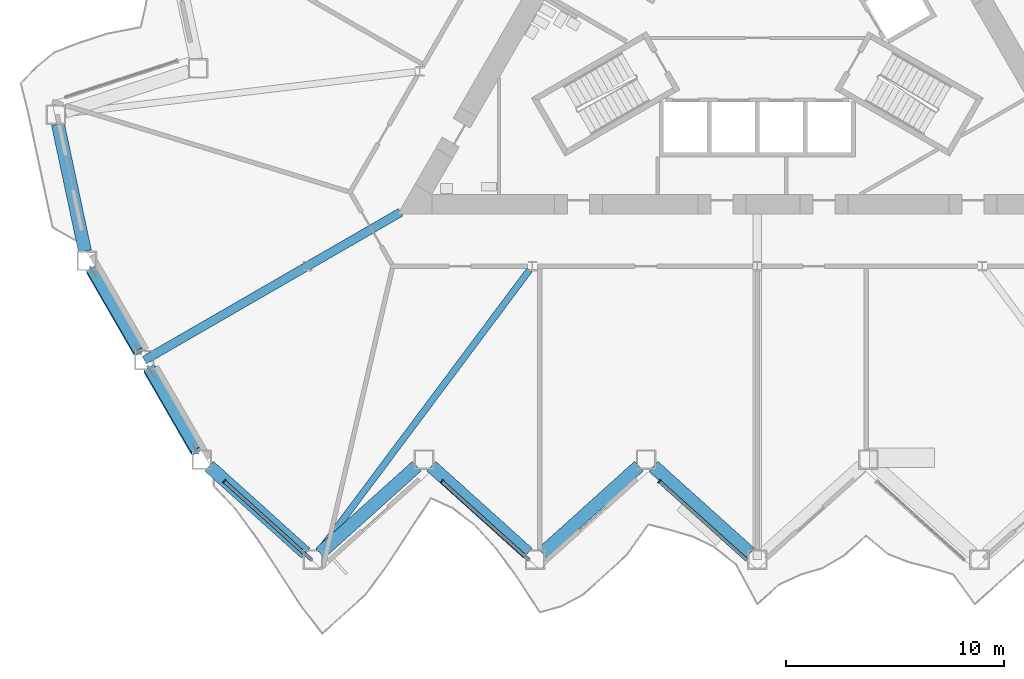
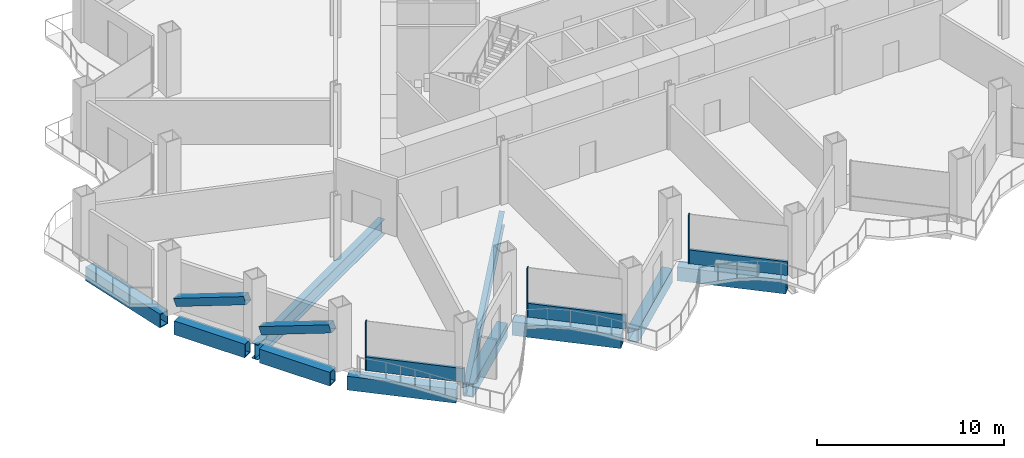
# One storey, part 3 of 21: 9 beams, 9 members, 3 elements without a shape of their own.
"""IFC4 building model written with IfcOpenShell, lengths in metres."""

from ifc_helpers import new_model, si_unit, direction, frame, origin, origin_2d, place, context, subcontext, project, spatial, rectangle, hollow_rectangle, i_section, extrude, material, layer, layer_set, material_profile, profile_set, type_object, element, aggregate, save


model = new_model("IFC4")

# Units and contexts
model_context = context("Model", 3, precision=1e-05, world=origin(), true_north=direction((0.0, 1.0)))
body_context = subcontext(model_context, "Body", "Model", "MODEL_VIEW")
ifc_project = project(units=[si_unit("LENGTHUNIT", "METRE"), si_unit("AREAUNIT", "SQUARE_METRE"), si_unit("VOLUMEUNIT", "CUBIC_METRE"), si_unit("PLANEANGLEUNIT", "RADIAN"), si_unit("MASSUNIT", "GRAM", prefix="KILO")], contexts=[model_context])

# Site, building, storey
site_placement = place(None, origin())
site = spatial("IfcSite", under=ifc_project, at=site_placement, CompositionType="ELEMENT")
building_placement = place(site_placement, origin())
building = spatial("IfcBuilding", under=site, at=building_placement, Name="Cormorant Prow Tower", CompositionType="ELEMENT")
storey_placement = place(building_placement, frame((0.0, 0.0, 99.60009765625)))
storey = spatial("IfcBuildingStorey", under=building, at=storey_placement, Name="L20", CompositionType="ELEMENT", Elevation=99.60009765625)

# Beams
ifc_material_1 = material(Name="Structural steel ASTM A572 Gr 50", Category="steel")
ifc_material_profile_1 = material_profile(ifc_material_1, hollow_rectangle(XDim=0.60009765625, YDim=0.89990234375, WallThickness=0.06005859375, at=origin_2d()), Name="Box 900x600x60")
ifc_profile_set_1 = profile_set([ifc_material_profile_1], Name="Structural steel ASTM A572 Gr 50")
beam_type_1 = type_object("IfcBeamType", Name="Belt truss top chord 900x600x60", PredefinedType="BEAM", material=ifc_profile_set_1)
for number, where, z_axis, x_axis, name in (
    (1, (-25.165283203125, -21.108154296875, -0.85009765625), (0.743131253571, -0.66914567918, 0.0), (0.66914567918, 0.743131253571, 0.0), "Belt truss top chord TC2 S00-S01 L20"),
    (2, (-20.0654296875, -25.09814453125, -0.85009765625), (0.743131253571, 0.66914567918, 0.0), (-0.66914567918, 0.743131253571, 0.0), "Belt truss top chord TC2 S01-S02 L20"),
    (3, (-14.96533203125, -21.108154296875, -0.85009765625), (0.743131253571, -0.66914567918, 0.0), (0.66914567918, 0.743131253571, 0.0), "Belt truss top chord TC2 S02-S03 L20"),
    (4, (-9.865478515625, -25.09814453125, -0.85009765625), (0.743131253571, 0.66914567918, 0.0), (-0.66914567918, 0.743131253571, 0.0), "Belt truss top chord TC2 S03-S04 L20"),
    (5, (-4.765625, -21.108154296875, -0.85009765625), (0.743131253571, -0.66914567918, 0.0), (0.66914567918, 0.743131253571, 0.0), "Belt truss top chord TC2 S04-S05 L20"),
    (6, (-32.1025390625, -5.4072265625, -0.85009765625), (0.207912620873, -0.978147403044, 0.0), (0.978147403044, 0.207912620873, 0.0), "Belt truss top chord TC2 WNW09-WSW00 L20"),
):
    element("IfcBeam", number, at=place(storey_placement, frame(where, z_axis=z_axis, x_axis=x_axis)), inside=storey, type_object=beam_type_1, Name=name, PredefinedType="BEAM", context=body_context, shape_type="SweptSolid", body=[
        extrude(hollow_rectangle(XDim=0.60009765625, YDim=0.89990234375, WallThickness=0.06005859375, at=origin_2d()), origin(), (0.0, 0.0, 1.0), 5.962890625),
    ])
for number, where, z_axis, x_axis, name in (
    (7, (-30.54443359375, -12.069580078125, -0.85009765625), (0.500002967982, -0.866023690213, 0.0), (0.866023690213, 0.500002967982, 0.0), "Belt truss top chord TC2 WSW00-WSW01 L20"),
    (8, (-27.909423828125, -16.63330078125, -0.85009765625), (0.500002967982, -0.866023690213, 0.0), (0.866023690213, 0.500002967982, 0.0), "Belt truss top chord TC2 WSW01-S00 L20"),
):
    element("IfcBeam", number, at=place(storey_placement, frame(where, z_axis=z_axis, x_axis=x_axis)), inside=storey, type_object=beam_type_1, Name=name, PredefinedType="BEAM", context=body_context, shape_type="SweptSolid", body=[
        extrude(hollow_rectangle(XDim=0.60009765625, YDim=0.89990234375, WallThickness=0.06005859375, at=origin_2d()), origin(), (0.0, 0.0, 1.0), 4.36962890625),
    ])

# Members
ifc_material_2 = material(Name="Structural steel ASTM A500 Gr C", Category="steel")
ifc_material_profile_2 = material_profile(ifc_material_2, hollow_rectangle(XDim=0.508056640625, YDim=0.508056640625, WallThickness=0.014892578125, at=origin_2d()), Name="HSS20x20x5/8")
ifc_profile_set_2 = profile_set([ifc_material_profile_2], Name="Structural steel ASTM A500 Gr C")
member_type_1 = type_object("IfcMemberType", Name="Chamfer brace HSS20x20x5/8", PredefinedType="BRACE", material=ifc_profile_set_2)
for number, where, z_axis, x_axis, name in (
    (9, (-30.535400390625, -12.0849609375, 0.7763671875), (0.467775966243, -0.810228448064, 0.353150828052), (0.866029868417, 0.499992266949, 0.0), "Chamfer brace BR1 at WSW00 L20"),
    (10, (-27.900634765625, -16.648681640625, 0.7763671875), (0.467775966243, -0.810228448064, 0.353150828052), (0.866029868417, 0.499992266949, 0.0), "Chamfer brace BR1 at WSW01 L20"),
):
    element("IfcMember", number, at=place(storey_placement, frame(where, z_axis=z_axis, x_axis=x_axis)), inside=storey, type_object=member_type_1, Name=name, PredefinedType="BRACE", context=body_context, shape_type="SweptSolid", body=[
        extrude(hollow_rectangle(XDim=0.508056640625, YDim=0.508056640625, WallThickness=0.014892578125, at=origin_2d()), origin(), (0.0, 0.0, 1.0), 4.632568359375),
    ])

# Curtain wall, member
ifc_material_3 = material(Name="Aluminium 6063-T6", Category="aluminium")
ifc_layer = layer(ifc_material_3, 0.199951171875)
ifc_layer_set = layer_set([ifc_layer], Name="Aluminium 6063-T6")
curtain_wall_type = type_object("IfcCurtainWallType", Name="Office unitised curtain wall 200", PredefinedType="NOTDEFINED", material=ifc_layer_set)
curtain_wall_1_placement = place(storey_placement, origin())
curtain_wall_1 = element("IfcCurtainWall", 11, at=curtain_wall_1_placement, inside=storey, type_object=curtain_wall_type, Name="Office curtain wall S00", PredefinedType="NOTDEFINED")
ifc_material_4 = material(Name="Aluminium 6063-T6", Category="aluminium")
ifc_material_profile_3 = material_profile(ifc_material_4, rectangle(XDim=0.199951171875, YDim=0.06005859375, at=origin_2d()), Name="Office mullion 60x200")
ifc_profile_set_3 = profile_set([ifc_material_profile_3], Name="Aluminium 6063-T6")
member_type_2 = type_object("IfcMemberType", Name="Office mullion 60x200", PredefinedType="MULLION", material=ifc_profile_set_3)
member_1_placement = place(storey_placement, frame((-24.468505859375, -21.800537109375, 0.0), z_axis=(0.0, 0.0, 1.0), x_axis=(0.669130650497, 0.743144785735, 0.0)))
member_1 = element("IfcMember", 12, at=member_1_placement, type_object=member_type_2, Name="Office mullion S00", PredefinedType="MULLION", context=body_context, shape_type="SweptSolid", body=[
    extrude(rectangle(XDim=0.199951171875, YDim=0.06005859375, at=origin_2d()), origin(), (0.0, 0.0, 1.0), 3.188720703125),
])

curtain_wall_2_placement = place(storey_placement, origin())
curtain_wall_2 = element("IfcCurtainWall", 13, at=curtain_wall_2_placement, inside=storey, type_object=curtain_wall_type, Name="Office curtain wall S02", PredefinedType="NOTDEFINED")
member_2_placement = place(storey_placement, frame((-14.483154296875, -21.800537109375, 0.0), z_axis=(0.0, 0.0, 1.0), x_axis=(0.669130650497, 0.743144785735, 0.0)))
member_2 = element("IfcMember", 14, at=member_2_placement, type_object=member_type_2, Name="Office mullion S02", PredefinedType="MULLION", context=body_context, shape_type="SweptSolid", body=[
    extrude(rectangle(XDim=0.199951171875, YDim=0.06005859375, at=origin_2d()), origin(), (0.0, 0.0, 1.0), 3.188720703125),
])

curtain_wall_3_placement = place(storey_placement, origin())
curtain_wall_3 = element("IfcCurtainWall", 15, at=curtain_wall_3_placement, inside=storey, type_object=curtain_wall_type, Name="Office curtain wall S04", PredefinedType="NOTDEFINED")
member_3_placement = place(storey_placement, frame((-4.497802734375, -21.800537109375, 0.0), z_axis=(0.0, 0.0, 1.0), x_axis=(0.669130650497, 0.743144785735, 0.0)))
member_3 = element("IfcMember", 16, at=member_3_placement, type_object=member_type_2, Name="Office mullion S04", PredefinedType="MULLION", context=body_context, shape_type="SweptSolid", body=[
    extrude(rectangle(XDim=0.199951171875, YDim=0.06005859375, at=origin_2d()), origin(), (0.0, 0.0, 1.0), 3.188720703125),
])

# Member
ifc_material_5 = material(Name="Terracotta", Category="masonry")
ifc_material_profile_4 = material_profile(ifc_material_5, rectangle(XDim=0.159912109375, YDim=0.89990234375, at=origin_2d()), Name="Office terracotta spandrel rail 160x900")
ifc_profile_set_4 = profile_set([ifc_material_profile_4], Name="Terracotta")
member_type_3 = type_object("IfcMemberType", Name="Office terracotta spandrel rail 160x900", PredefinedType="USERDEFINED", material=ifc_profile_set_4)
member_4_placement = place(storey_placement, frame((-24.446044921875, -21.820556640625, 0.449951171875), z_axis=(0.743125087883, -0.669152526528, 0.0), x_axis=(0.669152526528, 0.743125087883, 0.0)))
member_4 = element("IfcMember", 17, at=member_4_placement, type_object=member_type_3, Name="Office spandrel rail S00", ObjectType="TRANSOM", PredefinedType="USERDEFINED", context=body_context, shape_type="SweptSolid", body=[
    extrude(rectangle(XDim=0.159912109375, YDim=0.89990234375, at=origin_2d()), origin(), (0.0, 0.0, 1.0), 5.38623046875),
])

aggregate(curtain_wall_1, [member_1, member_4])

member_5_placement = place(storey_placement, frame((-14.460693359375, -21.820556640625, 0.449951171875), z_axis=(0.743125087883, -0.669152526528, 0.0), x_axis=(0.669152526528, 0.743125087883, 0.0)))
member_5 = element("IfcMember", 18, at=member_5_placement, type_object=member_type_3, Name="Office spandrel rail S02", ObjectType="TRANSOM", PredefinedType="USERDEFINED", context=body_context, shape_type="SweptSolid", body=[
    extrude(rectangle(XDim=0.159912109375, YDim=0.89990234375, at=origin_2d()), origin(), (0.0, 0.0, 1.0), 5.38623046875),
])

aggregate(curtain_wall_2, [member_2, member_5])

member_6_placement = place(storey_placement, frame((-4.475341796875, -21.820556640625, 0.449951171875), z_axis=(0.743125087883, -0.669152526528, 0.0), x_axis=(0.669152526528, 0.743125087883, 0.0)))
member_6 = element("IfcMember", 19, at=member_6_placement, type_object=member_type_3, Name="Office spandrel rail S04", ObjectType="TRANSOM", PredefinedType="USERDEFINED", context=body_context, shape_type="SweptSolid", body=[
    extrude(rectangle(XDim=0.159912109375, YDim=0.89990234375, at=origin_2d()), origin(), (0.0, 0.0, 1.0), 5.38623046875),
])

aggregate(curtain_wall_3, [member_3, member_6])

ifc_material_6 = material(Name="Structural steel ASTM A992 Gr 50", Category="steel")
ifc_material_profile_5 = material_profile(ifc_material_6, i_section(OverallWidth=0.39990234375, OverallDepth=1.000244140625, WebThickness=0.01904296875, FlangeThickness=0.0361328125, at=origin_2d()), Name="W40x249")
ifc_profile_set_5 = profile_set([ifc_material_profile_5], Name="Structural steel ASTM A992 Gr 50")
member_type_4 = type_object("IfcMemberType", Name="Outrigger chord W40x249", PredefinedType="CHORD", material=ifc_profile_set_5)
member_7_placement = place(storey_placement, frame((-16.3701171875, -9.451171875, -0.900146484375), z_axis=(-0.866023671636, -0.500003000157, 0.0), x_axis=(0.500003000157, -0.866023671636, 0.0)))
element("IfcMember", 20, at=member_7_placement, inside=storey, type_object=member_type_4, Name="Outrigger top chord 3 L20", PredefinedType="CHORD", context=body_context, shape_type="SweptSolid", body=[
    extrude(i_section(OverallWidth=0.39990234375, OverallDepth=1.000244140625, WebThickness=0.01904296875, FlangeThickness=0.0361328125, at=origin_2d()), origin(), (0.0, 0.0, 1.0), 13.58447265625),
])

# Beam
ifc_material_7 = material(Name="Structural steel ASTM A992 Gr 50", Category="steel")
ifc_material_profile_6 = material_profile(ifc_material_7, i_section(OverallWidth=0.3046875, OverallDepth=0.914794921875, WebThickness=0.0166015625, FlangeThickness=0.02587890625, at=origin_2d()), Name="W36x160")
ifc_profile_set_6 = profile_set([ifc_material_profile_6], Name="Structural steel ASTM A992 Gr 50")
beam_type_2 = type_object("IfcBeamType", Name="Radial floor beam W36x160", PredefinedType="BEAM", material=ifc_profile_set_6)
beam_placement = place(storey_placement, frame((-10.458740234375, -12.100341796875, -0.857421875), z_axis=(-0.598722444929, -0.800956574315, 0.0), x_axis=(0.800956574315, -0.598722444929, 0.0)))
element("IfcBeam", 21, at=beam_placement, inside=storey, type_object=beam_type_2, Name="Radial floor beam FB1 6 L20", PredefinedType="BEAM", context=body_context, shape_type="SweptSolid", body=[
    extrude(i_section(OverallWidth=0.3046875, OverallDepth=0.914794921875, WebThickness=0.0166015625, FlangeThickness=0.02587890625, at=origin_2d()), origin(), (0.0, 0.0, 1.0), 16.15380859375),
])

save(model, "model.ifc")
